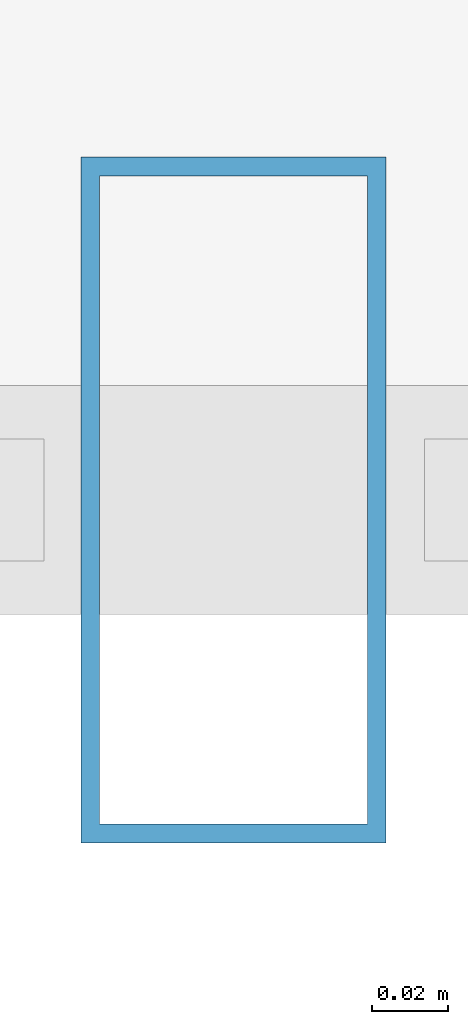
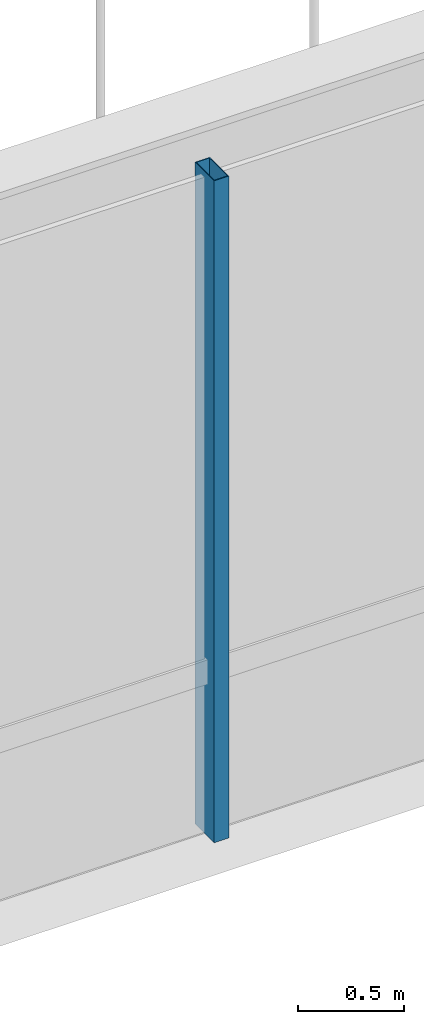
# One storey, part 7 of 26: 1 member, 1 element without a shape of its own.
"""IFC4 building model written with IfcOpenShell, lengths in metres."""

from ifc_helpers import new_model, si_unit, direction, frame, origin, origin_2d, place, context, subcontext, project, spatial, hollow_rectangle, extrude, material, layer, layer_set, material_profile, profile_set, type_object, element, aggregate, save


model = new_model("IFC4")

# Units and contexts
model_context = context("Model", 3, precision=1e-05, world=origin(), true_north=direction((0.0, 1.0)))
body_context = subcontext(model_context, "Body", "Model", "MODEL_VIEW")
ifc_project = project(units=[si_unit("LENGTHUNIT", "METRE"), si_unit("AREAUNIT", "SQUARE_METRE"), si_unit("VOLUMEUNIT", "CUBIC_METRE"), si_unit("PLANEANGLEUNIT", "RADIAN"), si_unit("MASSUNIT", "GRAM", prefix="KILO")], contexts=[model_context])

# Site, building, storey
site_placement = place(None, origin())
site = spatial("IfcSite", under=ifc_project, at=site_placement, CompositionType="ELEMENT")
building_placement = place(site_placement, origin())
building = spatial("IfcBuilding", under=site, at=building_placement, Name="Zarrinselat Tower", CompositionType="ELEMENT")
storey_placement = place(building_placement, frame((0.0, 0.0, 35.699951171875)))
storey = spatial("IfcBuildingStorey", under=building, at=storey_placement, Name="L08", CompositionType="ELEMENT", Elevation=35.699951171875)

# Curtain wall, member
ifc_material_1 = material(Name="Extruded Aluminium Alloy EN AW-6063 T6", Category="aluminium")
ifc_layer = layer(ifc_material_1, 0.18505859375)
ifc_layer_set = layer_set([ifc_layer], Name="Extruded Aluminium Alloy EN AW-6063 T6")
curtain_wall_type = type_object("IfcCurtainWallType", Name="CWS-OFF", PredefinedType="NOTDEFINED", material=ifc_layer_set)
curtain_wall_placement = place(storey_placement, origin())
curtain_wall = element("IfcCurtainWall", 1, at=curtain_wall_placement, inside=storey, type_object=curtain_wall_type, Name="L08 Unitised Curtain Wall CW-L08-E04", PredefinedType="NOTDEFINED")
ifc_material_2 = material(Name="Extruded Aluminium Alloy EN AW-6063 T6", Category="aluminium")
ifc_material_profile = material_profile(ifc_material_2, hollow_rectangle(XDim=0.080078125, YDim=0.179931640625, WallThickness=0.0048828125, at=origin_2d()), Name="RHS 180x80x5")
ifc_profile_set = profile_set([ifc_material_profile], Name="Extruded Aluminium Alloy EN AW-6063 T6")
member_type = type_object("IfcMemberType", Name="MEM-CW-MUL", PredefinedType="MULLION", material=ifc_profile_set)
member_placement = place(storey_placement, frame((38.39990234375, 19.1904296875, 0.0), z_axis=(0.0, 0.0, 1.0), x_axis=(1.0, 0.0, 0.0)))
member = element("IfcMember", 2, at=member_placement, type_object=member_type, Name="CW-L08-E04 Mullion 4", PredefinedType="MULLION", context=body_context, shape_type="SweptSolid", body=[
    extrude(hollow_rectangle(XDim=0.080078125, YDim=0.179931640625, WallThickness=0.0048828125, at=origin_2d()), origin(), (0.0, 0.0, 1.0), 3.820068359375),
])
aggregate(curtain_wall, [member])

save(model, "model.ifc")
